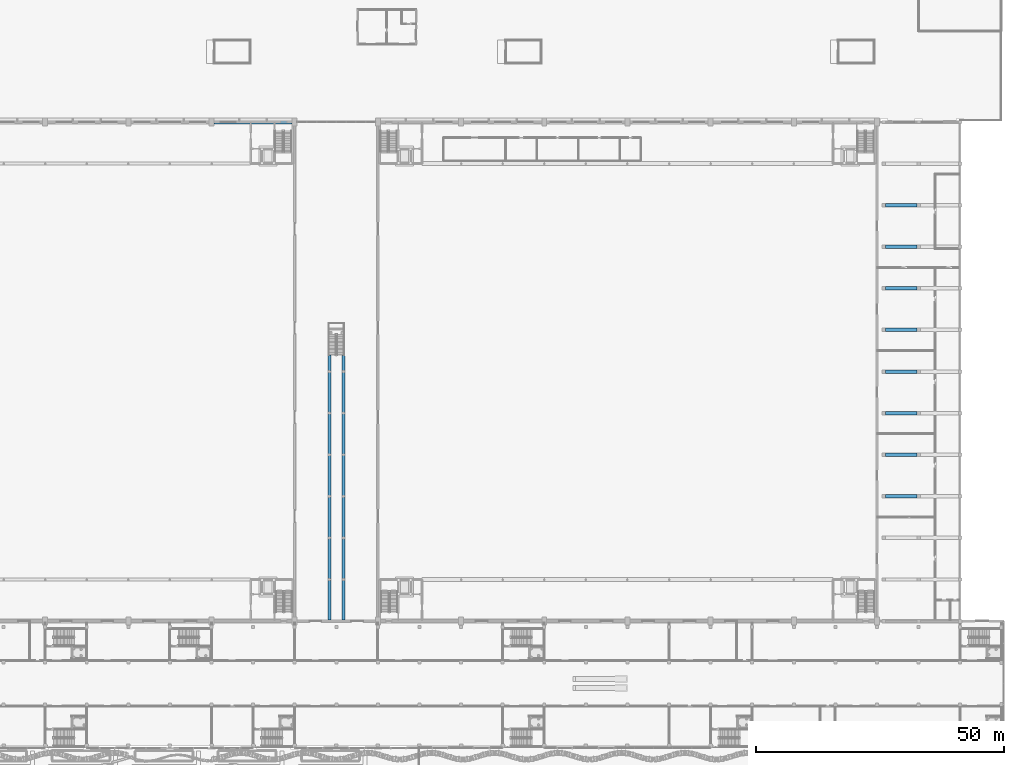
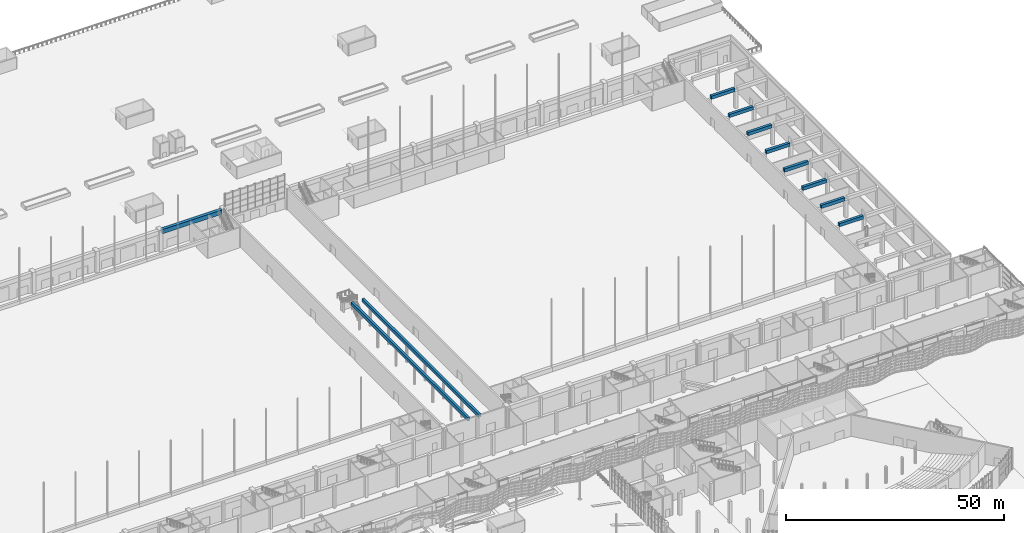
# One storey, part 65 of 210: 11 beams.
"""IFC4 building model written with IfcOpenShell, lengths in metres."""

from ifc_helpers import new_model, si_unit, direction, frame, origin, origin_2d, place, context, subcontext, project, spatial, rectangle, extrude, material, material_profile, profile_set, type_object, element, save


model = new_model("IFC4")

# Units and contexts
model_context = context("Model", 3, precision=1e-05, world=origin(), true_north=direction((0.0, 1.0)))
body_context = subcontext(model_context, "Body", "Model", "MODEL_VIEW")
ifc_project = project(units=[si_unit("LENGTHUNIT", "METRE"), si_unit("AREAUNIT", "SQUARE_METRE"), si_unit("VOLUMEUNIT", "CUBIC_METRE"), si_unit("PLANEANGLEUNIT", "RADIAN"), si_unit("MASSUNIT", "GRAM", prefix="KILO")], contexts=[model_context])

# Site, building, storey
site_placement = place(None, origin())
site = spatial("IfcSite", under=ifc_project, at=site_placement, CompositionType="ELEMENT")
building_placement = place(site_placement, origin())
building = spatial("IfcBuilding", under=site, at=building_placement, Name="Rain Tree Exposition and Congress Centre", CompositionType="ELEMENT")
storey_placement = place(building_placement, origin())
storey = spatial("IfcBuildingStorey", under=building, at=storey_placement, Name="L00", CompositionType="ELEMENT", Elevation=0.0)

# Beams
ifc_material_1 = material(Name="Precast concrete C50/60", Category="concrete")
ifc_material_profile_1 = material_profile(ifc_material_1, rectangle(XDim=0.60009765625, YDim=0.89990234375, at=origin_2d()), Name="RC 600x900")
ifc_profile_set_1 = profile_set([ifc_material_profile_1], Name="Precast concrete C50/60")
beam_type_1 = type_object("IfcBeamType", Name="Precast beam 600x900", PredefinedType="BEAM", material=ifc_profile_set_1)
for number, where, z_axis, x_axis, name in (
    (1, (133.0, 101.0, 5.25), (0.0, 1.0, 0.0), (-1.0, 0.0, 0.0), "Link walk beam 1"),
    (2, (135.85009765625, 101.0, 5.25), (0.0, 1.0, 0.0), (-1.0, 0.0, 0.0), "Link walk beam 2"),
):
    element("IfcBeam", number, at=place(storey_placement, frame(where, z_axis=z_axis, x_axis=x_axis)), inside=storey, type_object=beam_type_1, Name=name, PredefinedType="BEAM", context=body_context, shape_type="SweptSolid", body=[
        extrude(rectangle(XDim=0.60009765625, YDim=0.89990234375, at=origin_2d()), origin(), (0.0, 0.0, 1.0), 53.5029296875),
    ])
ifc_material_2 = material(Name="Precast concrete C50/60", Category="concrete")
ifc_material_profile_2 = material_profile(ifc_material_2, rectangle(XDim=0.699951171875, YDim=0.89990234375, at=origin_2d()), Name="RC 700x900")
ifc_profile_set_2 = profile_set([ifc_material_profile_2], Name="Precast concrete C50/60")
beam_type_2 = type_object("IfcBeamType", Name="Precast beam 700x900", PredefinedType="BEAM", material=ifc_profile_set_2)
for number, where, z_axis, x_axis, name in (
    (3, (245.35009765625, 126.0, 5.25), (1.0, 0.0, 0.0), (0.0, 1.0, 0.0), "Service roof beam 7"),
    (4, (245.35009765625, 134.39990234375, 5.25), (1.0, 0.0, 0.0), (0.0, 1.0, 0.0), "Service roof beam 9"),
    (5, (245.35009765625, 142.800048828125, 5.25), (1.0, 0.0, 0.0), (0.0, 1.0, 0.0), "Service roof beam 11"),
    (6, (245.35009765625, 151.199951171875, 5.25), (1.0, 0.0, 0.0), (0.0, 1.0, 0.0), "Service roof beam 13"),
    (7, (245.35009765625, 159.60009765625, 5.25), (1.0, 0.0, 0.0), (0.0, 1.0, 0.0), "Service roof beam 15"),
    (8, (245.35009765625, 168.0, 5.25), (1.0, 0.0, 0.0), (0.0, 1.0, 0.0), "Service roof beam 17"),
    (9, (245.35009765625, 176.39990234375, 5.25), (1.0, 0.0, 0.0), (0.0, 1.0, 0.0), "Service roof beam 19"),
    (10, (245.35009765625, 184.800048828125, 5.25), (1.0, 0.0, 0.0), (0.0, 1.0, 0.0), "Service roof beam 21"),
):
    element("IfcBeam", number, at=place(storey_placement, frame(where, z_axis=z_axis, x_axis=x_axis)), inside=storey, type_object=beam_type_2, Name=name, PredefinedType="BEAM", context=body_context, shape_type="SweptSolid", body=[
        extrude(rectangle(XDim=0.699951171875, YDim=0.89990234375, at=origin_2d()), origin(), (0.0, 0.0, 1.0), 6.2998046875),
    ])
ifc_material_3 = material(Name="Precast concrete C50/60", Category="concrete")
ifc_material_profile_3 = material_profile(ifc_material_3, rectangle(XDim=0.800048828125, YDim=1.199951171875, at=origin_2d()), Name="RC 800x1200")
ifc_profile_set_3 = profile_set([ifc_material_profile_3], Name="Precast concrete C50/60")
beam_type_3 = type_object("IfcBeamType", Name="Precast beam 800x1200", PredefinedType="BEAM", material=ifc_profile_set_3)
beam_placement = place(storey_placement, frame((109.699951171875, 201.60009765625, 5.10009765625), z_axis=(1.0, 0.0, 0.0), x_axis=(0.0, 1.0, 0.0)))
element("IfcBeam", 11, at=beam_placement, inside=storey, type_object=beam_type_3, Name="Gallery perimeter beam 14", PredefinedType="BEAM", context=body_context, shape_type="SweptSolid", body=[
    extrude(rectangle(XDim=0.800048828125, YDim=1.199951171875, at=origin_2d()), origin(), (0.0, 0.0, 1.0), 15.800048828125),
])

save(model, "model.ifc")
